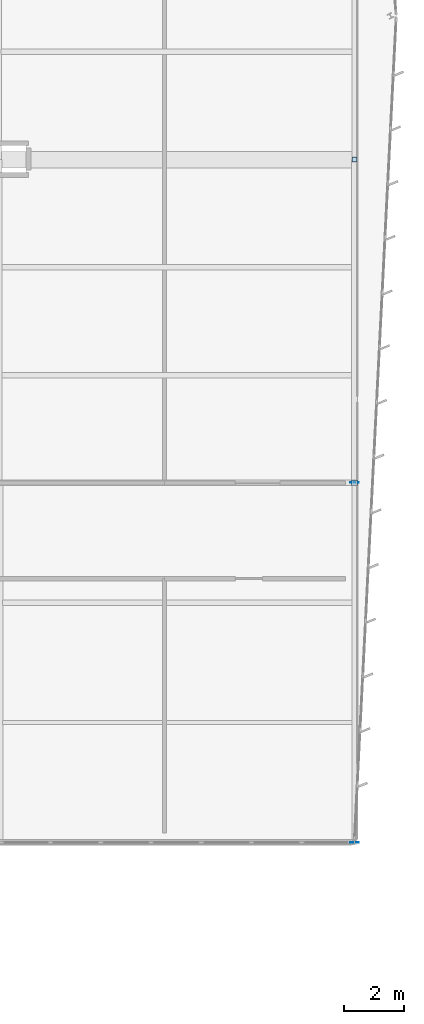
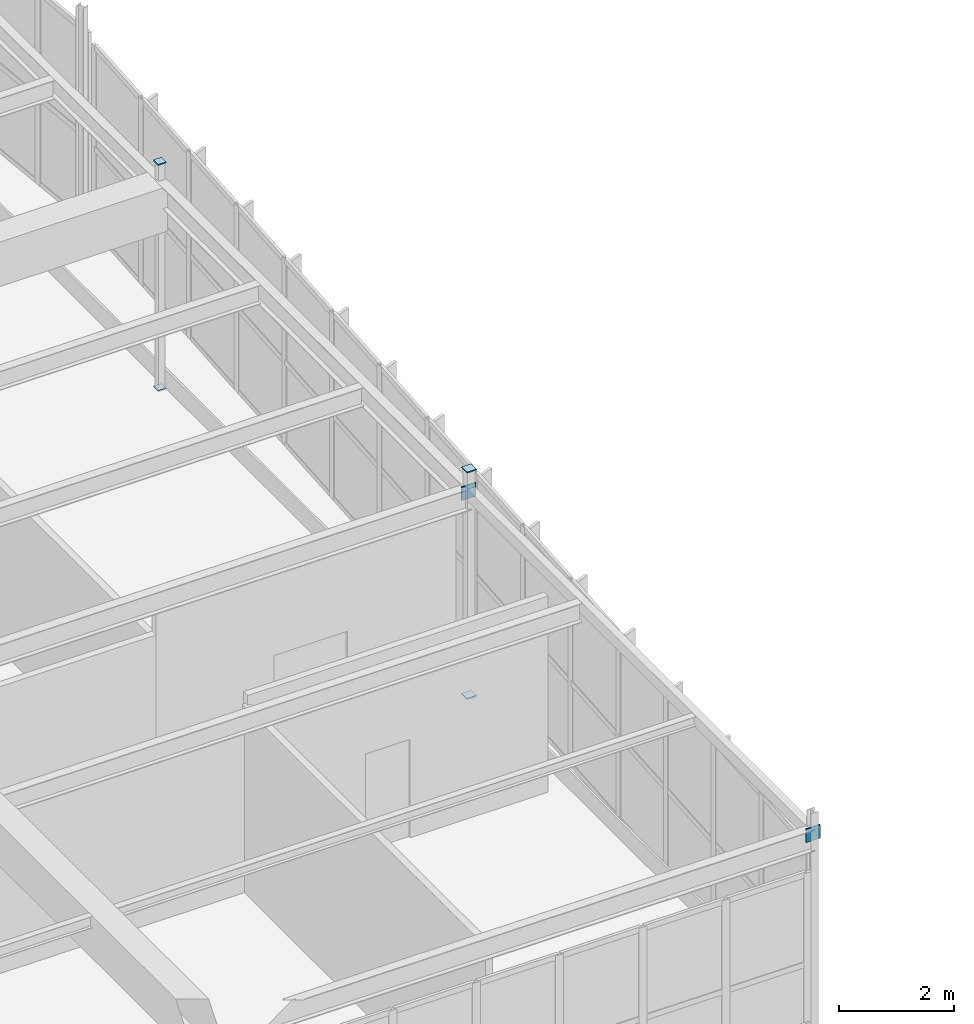
# One storey, part 187 of 226: 6 plates.
"""IFC4 building model written with IfcOpenShell, lengths in metres."""

from ifc_helpers import new_model, si_unit, direction, frame, origin, origin_2d, place, context, subcontext, project, spatial, rectangle, extrude, material, layer, layer_set, type_object, element, save


model = new_model("IFC4")

# Units and contexts
model_context = context("Model", 3, precision=1e-05, world=origin(), true_north=direction((0.0, 1.0)))
body_context = subcontext(model_context, "Body", "Model", "MODEL_VIEW")
ifc_project = project(units=[si_unit("LENGTHUNIT", "METRE"), si_unit("AREAUNIT", "SQUARE_METRE"), si_unit("VOLUMEUNIT", "CUBIC_METRE"), si_unit("PLANEANGLEUNIT", "RADIAN"), si_unit("MASSUNIT", "GRAM", prefix="KILO")], contexts=[model_context])

# Site, building, storey
site_placement = place(None, origin())
site = spatial("IfcSite", under=ifc_project, at=site_placement, CompositionType="ELEMENT")
building_placement = place(site_placement, origin())
building = spatial("IfcBuilding", under=site, at=building_placement, Name="Tarnwether General Hospital", CompositionType="ELEMENT")
storey_placement = place(building_placement, frame((0.0, 0.0, 4.800048828125)))
storey = spatial("IfcBuildingStorey", under=building, at=storey_placement, Name="L01", CompositionType="ELEMENT", Elevation=4.800048828125)

# Plates
ifc_material = material(Name="Steel Grade 350 (350 MPa)", Category="steel")
ifc_layer = layer(ifc_material, 0.02490234375)
ifc_layer_set = layer_set([ifc_layer], Name="Steel Grade 350 (350 MPa)")
plate_type = type_object("IfcPlateType", Name="PT-GUS2", PredefinedType="USERDEFINED", material=ifc_layer_set)
for number, where, z_axis, x_axis, name in (
    (1, (192.0, 93.60009765625, -0.02490234375), (0.0, 0.0, 1.0), (1.0, 0.0, 0.0), "Hollow Section Welded End Cap Plate 0419"),
    (2, (192.0, 93.60009765625, 4.800048828125), (0.0, 0.0, 1.0), (1.0, 0.0, 0.0), "Hollow Section Welded End Cap Plate 0420"),
):
    element("IfcPlate", number, at=place(storey_placement, frame(where, z_axis=z_axis, x_axis=x_axis)), inside=storey, type_object=plate_type, Name=name, ObjectType="GUSSET", PredefinedType="USERDEFINED", context=body_context, shape_type="SweptSolid", body=[
        extrude(rectangle(XDim=0.18994140625, YDim=0.18994140625, at=origin_2d()), origin(), (0.0, 0.0, 1.0), 0.02490234375),
    ])
for number, where, z_axis, x_axis, name in (
    (3, (192.0, 104.39990234375, -0.02490234375), (0.0, 0.0, 1.0), (1.0, 0.0, 0.0), "Hollow Section Welded End Cap Plate 0425"),
    (4, (192.0, 104.39990234375, 4.800048828125), (0.0, 0.0, 1.0), (1.0, 0.0, 0.0), "Hollow Section Welded End Cap Plate 0426"),
):
    element("IfcPlate", number, at=place(storey_placement, frame(where, z_axis=z_axis, x_axis=x_axis)), inside=storey, type_object=plate_type, Name=name, ObjectType="GUSSET", PredefinedType="USERDEFINED", context=body_context, shape_type="SweptSolid", body=[
        extrude(rectangle(XDim=0.1650390625, YDim=0.1650390625, at=origin_2d()), origin(), (0.0, 0.0, 1.0), 0.02490234375),
    ])
for number, where, z_axis, x_axis, name in (
    (5, (192.0, 81.58740234375, 4.175048828125), (0.0, 0.0, 1.0), (0.0, 1.0, 0.0), "Hollow Section Welded End Cap Plate 0945"),
    (6, (192.0, 93.612548828125, 4.175048828125), (0.0, 0.0, 1.0), (0.0, 1.0, 0.0), "Hollow Section Welded End Cap Plate 0946"),
):
    element("IfcPlate", number, at=place(storey_placement, frame(where, z_axis=z_axis, x_axis=x_axis)), inside=storey, type_object=plate_type, Name=name, ObjectType="GUSSET", PredefinedType="USERDEFINED", context=body_context, shape_type="SweptSolid", body=[
        extrude(rectangle(XDim=0.02490234375, YDim=0.2900390625, at=origin_2d()), origin(), (0.0, 0.0, 1.0), 0.2900390625),
    ])

save(model, "model.ifc")
